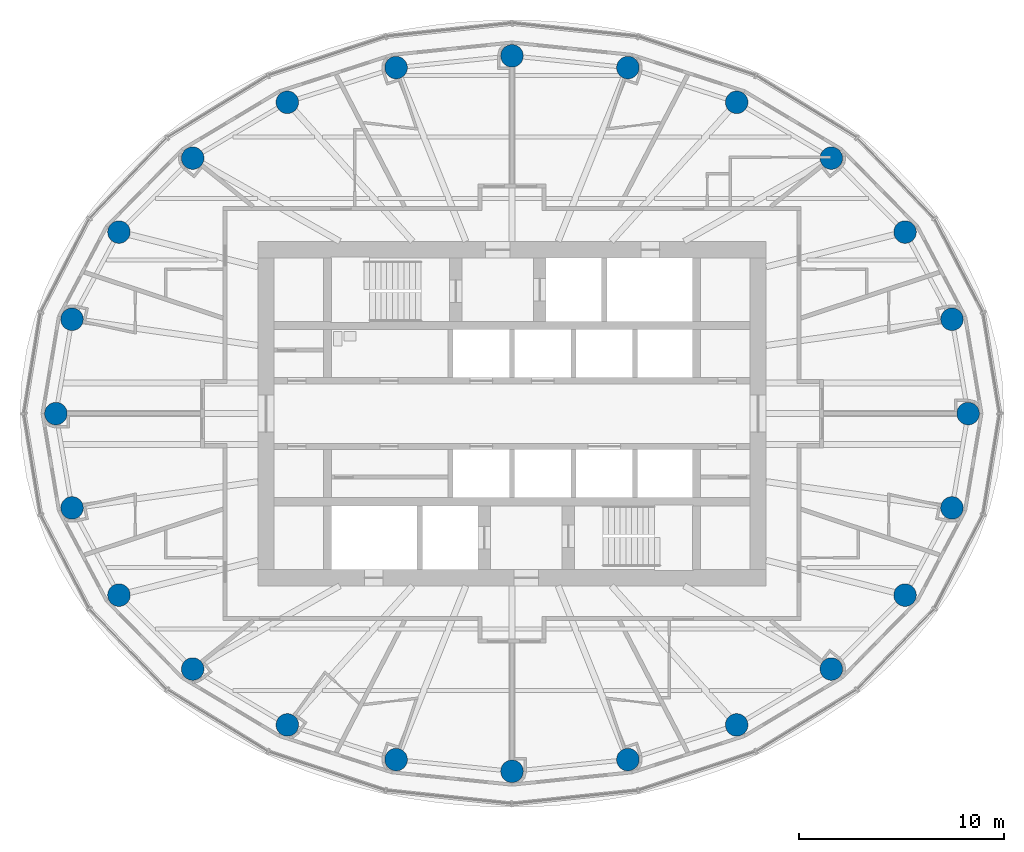
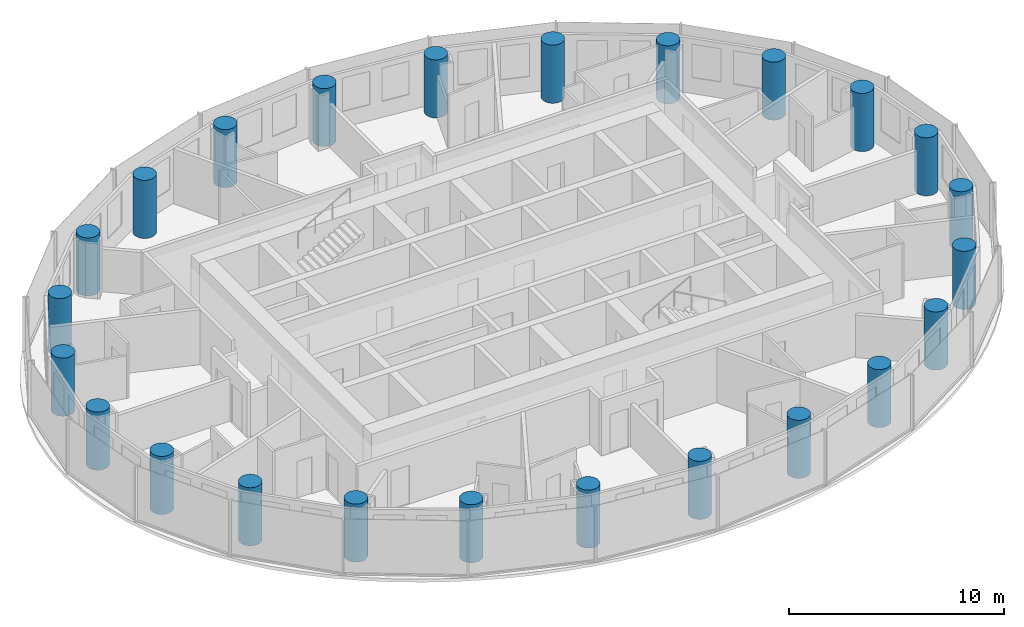
# One storey, part 1 of 16: 24 columns.
"""IFC4 building model written with IfcOpenShell, lengths in metres."""

import ifcopenshell
import ifcopenshell.guid

model = None  # the IFC model being written
_history = None  # IfcOwnerHistory: only IFC2X3 demands one
_inside = {}  # id of a spatial element -> (the spatial element, [elements in it])
_under = {}  # id of a project, library or spatial element -> (it, [spatial elements below it])
_declared = {}  # id of a project -> (the project, [libraries it declares])
_typed = {}  # id of a type object -> (the type object, [elements of that type])
_made_of = {}  # id of a material, layer set ... -> (it, [elements and type objects made of it])


def new_model(schema):
    """Start an empty IFC model of exactly this schema.

    Asked for "IFC4X3", IfcOpenShell would pick the latest addendum, in which some entities
    have other attributes; the version numbers below select the first issue.
    IFC2X3 requires an IfcOwnerHistory on every rooted entity: one is made here for all.
    """
    global model, _history
    if schema == "IFC4X3":
        model = ifcopenshell.file(schema_version=(4, 3, 0, 0))
    else:
        model = ifcopenshell.file(schema=schema)
    _inside.clear()
    _under.clear()
    _declared.clear()
    _typed.clear()
    _made_of.clear()
    _history = None
    if model.schema == "IFC2X3":
        org = make("IfcOrganization", Name="unknown")
        user = make(
            "IfcPersonAndOrganization",
            ThePerson=make("IfcPerson", FamilyName="unknown"),
            TheOrganization=org,
        )
        app = make(
            "IfcApplication",
            ApplicationDeveloper=org,
            Version="unknown",
            ApplicationFullName="unknown",
            ApplicationIdentifier="unknown",
        )
        _history = make(
            "IfcOwnerHistory",
            OwningUser=user,
            OwningApplication=app,
            ChangeAction="ADDED",
            CreationDate=0,
        )
    return model


def make(cls, **values):
    """One entity of the class cls with the attributes given. An attribute that is None is left unset."""
    return model.create_entity(
        cls, **{name: value for name, value in values.items() if value is not None}
    )


def rooted(cls, **values):
    """An entity with a GlobalId (a new one), such as an element, a storey or a relation."""
    return make(cls, GlobalId=ifcopenshell.guid.new(), OwnerHistory=_history, **values)


def si_unit(unit_type, name, prefix=None):
    """IfcSIUnit, for example si_unit("LENGTHUNIT", "METRE", prefix="MILLI")."""
    return make("IfcSIUnit", UnitType=unit_type, Prefix=prefix, Name=name)


def assignment(units):
    """IfcUnitAssignment: the units of a project."""
    return None if units is None else make("IfcUnitAssignment", Units=units)


def point(xyz):
    """IfcCartesianPoint."""
    return None if xyz is None else make("IfcCartesianPoint", Coordinates=xyz)


def direction(xyz):
    """IfcDirection."""
    return None if xyz is None else make("IfcDirection", DirectionRatios=xyz)


def frame(location, z_axis=None, x_axis=None):
    """IfcAxis2Placement3D, a coordinate frame: its origin and axes. An axis left out is left unset."""
    return make(
        "IfcAxis2Placement3D",
        Location=point(location),
        Axis=direction(z_axis),
        RefDirection=direction(x_axis),
    )


def frame_2d(location, x_axis=None):
    """IfcAxis2Placement2D, a coordinate frame in the plane: its origin and x axis."""
    return make(
        "IfcAxis2Placement2D", Location=point(location), RefDirection=direction(x_axis)
    )


def origin():
    """The frame at (0, 0, 0) with its axes left unset."""
    return frame((0.0, 0.0, 0.0))


def origin_2d():
    """The frame at (0, 0) in the plane with its x axis left unset."""
    return frame_2d((0.0, 0.0))


def place(relative_to, where):
    """IfcLocalPlacement: puts the frame where relative to a parent placement (None: the world)."""
    return make(
        "IfcLocalPlacement", PlacementRelTo=relative_to, RelativePlacement=where
    )


def context(
    kind, dimensions, precision=None, world=None, true_north=None, identifier=None
):
    """IfcGeometricRepresentationContext, for example the 3D "Model" context."""
    return make(
        "IfcGeometricRepresentationContext",
        ContextIdentifier=identifier,
        ContextType=kind,
        CoordinateSpaceDimension=dimensions,
        Precision=precision,
        WorldCoordinateSystem=world,
        TrueNorth=true_north,
    )


def subcontext(parent, identifier, kind, view, scale=None):
    """IfcGeometricRepresentationSubContext, for example "Body" below "Model"."""
    return make(
        "IfcGeometricRepresentationSubContext",
        ContextIdentifier=identifier,
        ContextType=kind,
        ParentContext=parent,
        TargetScale=scale,
        TargetView=view,
    )


def project(units=None, contexts=None):
    """IfcProject with its units and contexts."""
    return rooted(
        "IfcProject",
        Name="project",
        RepresentationContexts=contexts,
        UnitsInContext=assignment(units),
    )


def spatial(cls, under=None, at=None, **own):
    """A site, building, storey or space (cls), placed at a placement, below another one or the project."""
    s = rooted(cls, ObjectPlacement=at, **own)
    if under is not None:
        _under.setdefault(under.id(), (under, []))[1].append(s)
    return s


def profile(cls, at=None, kind="AREA", **sizes):
    """A parametric profile (cls). Its sizes go by their IFC names, for example OverallWidth=200.0."""
    return make(cls, ProfileType=kind, Position=at, **sizes)


def circle(**sizes):
    """IfcCircleProfileDef."""
    return profile("IfcCircleProfileDef", **sizes)


def extrude(swept, where, along, depth):
    """IfcExtrudedAreaSolid: the profile swept, set in the frame where, extruded along a direction by depth."""
    return make(
        "IfcExtrudedAreaSolid",
        SweptArea=swept,
        Position=where,
        ExtrudedDirection=direction(along),
        Depth=depth,
    )


def shape(context_of_items, identifier, shape_type, items):
    """IfcShapeRepresentation: the items that make up one representation, for example the "Body"."""
    return make(
        "IfcShapeRepresentation",
        ContextOfItems=context_of_items,
        RepresentationIdentifier=identifier,
        RepresentationType=shape_type,
        Items=items,
    )


def material(Name=None, Category=None):
    """IfcMaterial."""
    return make("IfcMaterial", Name=Name, Category=Category)


def material_profile(
    of_material, cross_section, Name=None, Category=None, Priority=None
):
    """IfcMaterialProfile: a cross section and its material."""
    return make(
        "IfcMaterialProfile",
        Name=Name,
        Material=of_material,
        Profile=cross_section,
        Priority=Priority,
        Category=Category,
    )


def profile_set(profiles, Name=None, composite=None):
    """IfcMaterialProfileSet."""
    return make(
        "IfcMaterialProfileSet",
        Name=Name,
        MaterialProfiles=profiles,
        CompositeProfile=composite,
    )


def made_of(thing, what):
    """Note that an element or type object is made of a material, layer set ...; save() writes the relation."""
    if what is not None:
        _made_of.setdefault(what.id(), (what, []))[1].append(thing)
    return thing


def type_object(cls, material=None, **own):
    """A type object (cls), such as IfcWallType, which elements share."""
    return made_of(rooted(cls, **own), material)


def element(
    cls,
    number,
    at=None,
    inside=None,
    cuts=None,
    type_object=None,
    material=None,
    context=None,
    identifier="Body",
    shape_type=None,
    held_by="IfcProductDefinitionShape",
    body=None,
    shapes=None,
    **own,
):
    """One element of the class cls, such as IfcWall. Its Tag is "e" and its number.

    at: its placement. inside: the storey or other place that contains it. cuts: it is an
    opening in that element (IfcRelVoidsElement). A single representation is given by context,
    identifier, shape_type and body (its items); several are given by shapes. held_by: the class
    of the entity that holds the representations. save() writes the other relations.
    """
    e = rooted(cls, Tag="e%d" % number, ObjectPlacement=at, **own)
    if body is not None:
        shapes = [shape(context, identifier, shape_type, body)]
    if shapes is not None:
        e.Representation = make(held_by, Representations=shapes)
    if inside is not None:
        _inside.setdefault(inside.id(), (inside, []))[1].append(e)
    if cuts is not None:
        rooted(
            "IfcRelVoidsElement", RelatingBuildingElement=cuts, RelatedOpeningElement=e
        )
    if type_object is not None:
        _typed.setdefault(type_object.id(), (type_object, []))[1].append(e)
    return made_of(e, material)


def aggregate(whole, parts):
    """IfcRelAggregates: a whole, such as a stair, and the parts it consists of."""
    return rooted("IfcRelAggregates", RelatingObject=whole, RelatedObjects=parts)


def save(model, path):
    """Write the relations noted so far, then the file.

    IfcRelAggregates (storeys below a building ...), IfcRelContainedInSpatialStructure (elements
    in a storey), IfcRelDefinesByType, IfcRelAssociatesMaterial and IfcRelDeclares: one each for
    every whole, place, type object, material and project.
    """
    for whole, parts in _under.values():
        aggregate(whole, parts)
    for where, things in _inside.values():
        rooted(
            "IfcRelContainedInSpatialStructure",
            RelatedElements=things,
            RelatingStructure=where,
        )
    for kind, things in _typed.values():
        rooted("IfcRelDefinesByType", RelatedObjects=things, RelatingType=kind)
    for what, things in _made_of.values():
        rooted("IfcRelAssociatesMaterial", RelatedObjects=things, RelatingMaterial=what)
    for by, libraries in _declared.values():
        rooted("IfcRelDeclares", RelatingContext=by, RelatedDefinitions=libraries)
    model.write(path)


model = new_model("IFC4")

# Units and contexts
model_context = context("Model", 3, precision=1e-05, world=origin(), true_north=direction((0.0, 1.0)))
body_context = subcontext(model_context, "Body", "Model", "MODEL_VIEW")
ifc_project = project(units=[si_unit("LENGTHUNIT", "METRE"), si_unit("AREAUNIT", "SQUARE_METRE"), si_unit("VOLUMEUNIT", "CUBIC_METRE"), si_unit("PLANEANGLEUNIT", "RADIAN"), si_unit("MASSUNIT", "GRAM", prefix="KILO")], contexts=[model_context])

# Site, building, storey
site_placement = place(None, origin())
site = spatial("IfcSite", under=ifc_project, at=site_placement, CompositionType="ELEMENT")
building_placement = place(site_placement, origin())
building = spatial("IfcBuilding", under=site, at=building_placement, Name="Hankou Lantern Tower", CompositionType="ELEMENT")
storey_placement = place(building_placement, frame((0.0, 0.0, 153.300048828125)))
storey = spatial("IfcBuildingStorey", under=building, at=storey_placement, Name="L40", CompositionType="ELEMENT", Elevation=153.300048828125)

# Columns
ifc_material = material(Name="Concrete C50", Category="concrete")
ifc_material_profile = material_profile(ifc_material, circle(Radius=0.550048828125, at=origin_2d()), Name="RC D1100")
ifc_profile_set = profile_set([ifc_material_profile], Name="Concrete C50")
column_type = type_object("IfcColumnType", Name="TC4 PERIMETER COLUMN RC D1100", PredefinedType="COLUMN", material=ifc_profile_set)
for number, where, z_axis, x_axis, name in (
    (1, (22.25, 0.0, 0.0), (0.0, 0.0, 1.0), (1.0, 0.0, 0.0), "Column R01 L40"),
    (2, (21.462646484375, 4.600830078125, 0.0), (0.0, 0.0, 1.0), (1.0, 0.0, 0.0), "Column R02 L40"),
    (3, (19.172119140625, 8.855224609375, 0.0), (0.0, 0.0, 1.0), (1.0, 0.0, 0.0), "Column R03 L40"),
    (4, (15.576171875, 12.4609375, 0.0), (0.0, 0.0, 1.0), (1.0, 0.0, 0.0), "Column R04 L40"),
    (5, (10.959716796875, 15.186279296875, 0.0), (0.0, 0.0, 1.0), (1.0, 0.0, 0.0), "Column R05 L40"),
    (6, (5.65283203125, 16.87744140625, 0.0), (0.0, 0.0, 1.0), (1.0, 0.0, 0.0), "Column R06 L40"),
    (7, (0.0, 17.449951171875, 0.0), (0.0, 0.0, 1.0), (1.0, 0.0, 0.0), "Column R07 L40"),
    (8, (-5.65283203125, 16.87744140625, 0.0), (0.0, 0.0, 1.0), (1.0, 0.0, 0.0), "Column R08 L40"),
    (9, (-10.959716796875, 15.186279296875, 0.0), (0.0, 0.0, 1.0), (1.0, 0.0, 0.0), "Column R09 L40"),
    (10, (-15.576171875, 12.4609375, 0.0), (0.0, 0.0, 1.0), (1.0, 0.0, 0.0), "Column R10 L40"),
    (11, (-19.172119140625, 8.855224609375, 0.0), (0.0, 0.0, 1.0), (1.0, 0.0, 0.0), "Column R11 L40"),
    (12, (-21.462646484375, 4.600830078125, 0.0), (0.0, 0.0, 1.0), (1.0, 0.0, 0.0), "Column R12 L40"),
    (13, (-22.25, 0.0, 0.0), (0.0, 0.0, 1.0), (1.0, 0.0, 0.0), "Column R13 L40"),
    (14, (-21.462646484375, -4.600830078125, 0.0), (0.0, 0.0, 1.0), (1.0, 0.0, 0.0), "Column R14 L40"),
    (15, (-19.172119140625, -8.855224609375, 0.0), (0.0, 0.0, 1.0), (1.0, 0.0, 0.0), "Column R15 L40"),
    (16, (-15.576171875, -12.4609375, 0.0), (0.0, 0.0, 1.0), (1.0, 0.0, 0.0), "Column R16 L40"),
    (17, (-10.959716796875, -15.186279296875, 0.0), (0.0, 0.0, 1.0), (1.0, 0.0, 0.0), "Column R17 L40"),
    (18, (-5.65283203125, -16.87744140625, 0.0), (0.0, 0.0, 1.0), (1.0, 0.0, 0.0), "Column R18 L40"),
    (19, (0.0, -17.449951171875, 0.0), (0.0, 0.0, 1.0), (1.0, 0.0, 0.0), "Column R19 L40"),
    (20, (5.65283203125, -16.87744140625, 0.0), (0.0, 0.0, 1.0), (1.0, 0.0, 0.0), "Column R20 L40"),
    (21, (10.959716796875, -15.186279296875, 0.0), (0.0, 0.0, 1.0), (1.0, 0.0, 0.0), "Column R21 L40"),
    (22, (15.576171875, -12.4609375, 0.0), (0.0, 0.0, 1.0), (1.0, 0.0, 0.0), "Column R22 L40"),
    (23, (19.172119140625, -8.855224609375, 0.0), (0.0, 0.0, 1.0), (1.0, 0.0, 0.0), "Column R23 L40"),
    (24, (21.462646484375, -4.600830078125, 0.0), (0.0, 0.0, 1.0), (1.0, 0.0, 0.0), "Column R24 L40"),
):
    element("IfcColumn", number, at=place(storey_placement, frame(where, z_axis=z_axis, x_axis=x_axis)), inside=storey, type_object=column_type, Name=name, PredefinedType="COLUMN", context=body_context, shape_type="SweptSolid", body=[
        extrude(circle(Radius=0.550048828125, at=origin_2d()), origin(), (0.0, 0.0, 1.0), 3.300048828125),
    ])

save(model, "model.ifc")
